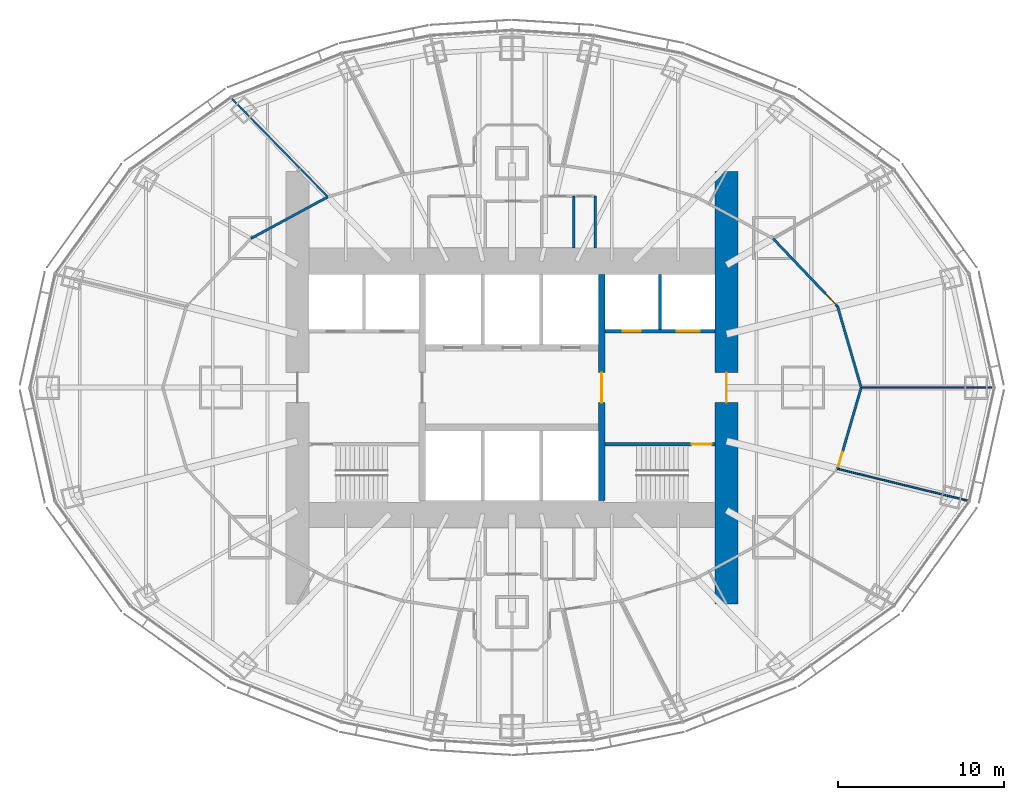
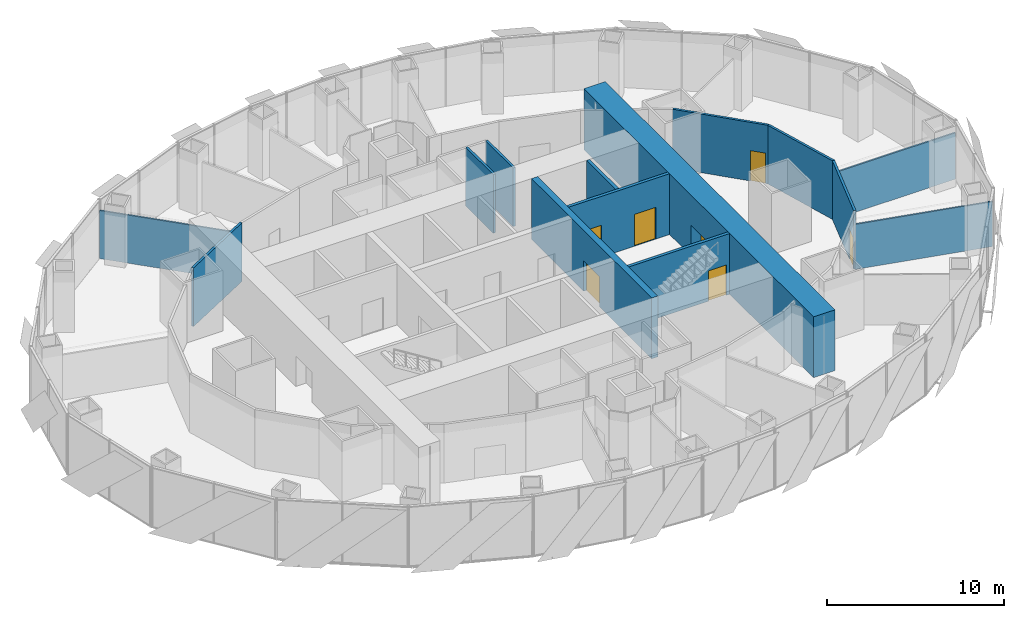
# One storey, part 12 of 18: 14 walls, 7 doors, 7 openings.
"""IFC4 building model written with IfcOpenShell, lengths in metres."""

import ifcopenshell
import ifcopenshell.guid

model = None  # the IFC model being written
_history = None  # IfcOwnerHistory: only IFC2X3 demands one
_inside = {}  # id of a spatial element -> (the spatial element, [elements in it])
_under = {}  # id of a project, library or spatial element -> (it, [spatial elements below it])
_declared = {}  # id of a project -> (the project, [libraries it declares])
_typed = {}  # id of a type object -> (the type object, [elements of that type])
_made_of = {}  # id of a material, layer set ... -> (it, [elements and type objects made of it])


def new_model(schema):
    """Start an empty IFC model of exactly this schema.

    Asked for "IFC4X3", IfcOpenShell would pick the latest addendum, in which some entities
    have other attributes; the version numbers below select the first issue.
    IFC2X3 requires an IfcOwnerHistory on every rooted entity: one is made here for all.
    """
    global model, _history
    if schema == "IFC4X3":
        model = ifcopenshell.file(schema_version=(4, 3, 0, 0))
    else:
        model = ifcopenshell.file(schema=schema)
    _inside.clear()
    _under.clear()
    _declared.clear()
    _typed.clear()
    _made_of.clear()
    _history = None
    if model.schema == "IFC2X3":
        org = make("IfcOrganization", Name="unknown")
        user = make(
            "IfcPersonAndOrganization",
            ThePerson=make("IfcPerson", FamilyName="unknown"),
            TheOrganization=org,
        )
        app = make(
            "IfcApplication",
            ApplicationDeveloper=org,
            Version="unknown",
            ApplicationFullName="unknown",
            ApplicationIdentifier="unknown",
        )
        _history = make(
            "IfcOwnerHistory",
            OwningUser=user,
            OwningApplication=app,
            ChangeAction="ADDED",
            CreationDate=0,
        )
    return model


def make(cls, **values):
    """One entity of the class cls with the attributes given. An attribute that is None is left unset."""
    return model.create_entity(
        cls, **{name: value for name, value in values.items() if value is not None}
    )


def rooted(cls, **values):
    """An entity with a GlobalId (a new one), such as an element, a storey or a relation."""
    return make(cls, GlobalId=ifcopenshell.guid.new(), OwnerHistory=_history, **values)


def si_unit(unit_type, name, prefix=None):
    """IfcSIUnit, for example si_unit("LENGTHUNIT", "METRE", prefix="MILLI")."""
    return make("IfcSIUnit", UnitType=unit_type, Prefix=prefix, Name=name)


def assignment(units):
    """IfcUnitAssignment: the units of a project."""
    return None if units is None else make("IfcUnitAssignment", Units=units)


def point(xyz):
    """IfcCartesianPoint."""
    return None if xyz is None else make("IfcCartesianPoint", Coordinates=xyz)


def direction(xyz):
    """IfcDirection."""
    return None if xyz is None else make("IfcDirection", DirectionRatios=xyz)


def frame(location, z_axis=None, x_axis=None):
    """IfcAxis2Placement3D, a coordinate frame: its origin and axes. An axis left out is left unset."""
    return make(
        "IfcAxis2Placement3D",
        Location=point(location),
        Axis=direction(z_axis),
        RefDirection=direction(x_axis),
    )


def frame_2d(location, x_axis=None):
    """IfcAxis2Placement2D, a coordinate frame in the plane: its origin and x axis."""
    return make(
        "IfcAxis2Placement2D", Location=point(location), RefDirection=direction(x_axis)
    )


def origin():
    """The frame at (0, 0, 0) with its axes left unset."""
    return frame((0.0, 0.0, 0.0))


def place(relative_to, where):
    """IfcLocalPlacement: puts the frame where relative to a parent placement (None: the world)."""
    return make(
        "IfcLocalPlacement", PlacementRelTo=relative_to, RelativePlacement=where
    )


def context(
    kind, dimensions, precision=None, world=None, true_north=None, identifier=None
):
    """IfcGeometricRepresentationContext, for example the 3D "Model" context."""
    return make(
        "IfcGeometricRepresentationContext",
        ContextIdentifier=identifier,
        ContextType=kind,
        CoordinateSpaceDimension=dimensions,
        Precision=precision,
        WorldCoordinateSystem=world,
        TrueNorth=true_north,
    )


def subcontext(parent, identifier, kind, view, scale=None):
    """IfcGeometricRepresentationSubContext, for example "Body" below "Model"."""
    return make(
        "IfcGeometricRepresentationSubContext",
        ContextIdentifier=identifier,
        ContextType=kind,
        ParentContext=parent,
        TargetScale=scale,
        TargetView=view,
    )


def project(units=None, contexts=None):
    """IfcProject with its units and contexts."""
    return rooted(
        "IfcProject",
        Name="project",
        RepresentationContexts=contexts,
        UnitsInContext=assignment(units),
    )


def spatial(cls, under=None, at=None, **own):
    """A site, building, storey or space (cls), placed at a placement, below another one or the project."""
    s = rooted(cls, ObjectPlacement=at, **own)
    if under is not None:
        _under.setdefault(under.id(), (under, []))[1].append(s)
    return s


def profile(cls, at=None, kind="AREA", **sizes):
    """A parametric profile (cls). Its sizes go by their IFC names, for example OverallWidth=200.0."""
    return make(cls, ProfileType=kind, Position=at, **sizes)


def rectangle(**sizes):
    """IfcRectangleProfileDef."""
    return profile("IfcRectangleProfileDef", **sizes)


def extrude(swept, where, along, depth):
    """IfcExtrudedAreaSolid: the profile swept, set in the frame where, extruded along a direction by depth."""
    return make(
        "IfcExtrudedAreaSolid",
        SweptArea=swept,
        Position=where,
        ExtrudedDirection=direction(along),
        Depth=depth,
    )


def shape(context_of_items, identifier, shape_type, items):
    """IfcShapeRepresentation: the items that make up one representation, for example the "Body"."""
    return make(
        "IfcShapeRepresentation",
        ContextOfItems=context_of_items,
        RepresentationIdentifier=identifier,
        RepresentationType=shape_type,
        Items=items,
    )


def material(Name=None, Category=None):
    """IfcMaterial."""
    return make("IfcMaterial", Name=Name, Category=Category)


def layer(
    of_material, thickness, ventilated=None, Name=None, Category=None, Priority=None
):
    """IfcMaterialLayer: one layer of a wall or slab, of a material (None: an air gap)."""
    return make(
        "IfcMaterialLayer",
        Material=of_material,
        LayerThickness=thickness,
        IsVentilated=ventilated,
        Name=Name,
        Category=Category,
        Priority=Priority,
    )


def layer_set(layers, Name=None):
    """IfcMaterialLayerSet."""
    return make("IfcMaterialLayerSet", MaterialLayers=layers, LayerSetName=Name)


def made_of(thing, what):
    """Note that an element or type object is made of a material, layer set ...; save() writes the relation."""
    if what is not None:
        _made_of.setdefault(what.id(), (what, []))[1].append(thing)
    return thing


def type_object(cls, material=None, **own):
    """A type object (cls), such as IfcWallType, which elements share."""
    return made_of(rooted(cls, **own), material)


def element(
    cls,
    number,
    at=None,
    inside=None,
    cuts=None,
    type_object=None,
    material=None,
    context=None,
    identifier="Body",
    shape_type=None,
    held_by="IfcProductDefinitionShape",
    body=None,
    shapes=None,
    **own,
):
    """One element of the class cls, such as IfcWall. Its Tag is "e" and its number.

    at: its placement. inside: the storey or other place that contains it. cuts: it is an
    opening in that element (IfcRelVoidsElement). A single representation is given by context,
    identifier, shape_type and body (its items); several are given by shapes. held_by: the class
    of the entity that holds the representations. save() writes the other relations.
    """
    e = rooted(cls, Tag="e%d" % number, ObjectPlacement=at, **own)
    if body is not None:
        shapes = [shape(context, identifier, shape_type, body)]
    if shapes is not None:
        e.Representation = make(held_by, Representations=shapes)
    if inside is not None:
        _inside.setdefault(inside.id(), (inside, []))[1].append(e)
    if cuts is not None:
        rooted(
            "IfcRelVoidsElement", RelatingBuildingElement=cuts, RelatedOpeningElement=e
        )
    if type_object is not None:
        _typed.setdefault(type_object.id(), (type_object, []))[1].append(e)
    return made_of(e, material)


def fill(opening, filler):
    """IfcRelFillsElement: the door or window that sits in an opening."""
    return rooted(
        "IfcRelFillsElement",
        RelatingOpeningElement=opening,
        RelatedBuildingElement=filler,
    )


def aggregate(whole, parts):
    """IfcRelAggregates: a whole, such as a stair, and the parts it consists of."""
    return rooted("IfcRelAggregates", RelatingObject=whole, RelatedObjects=parts)


def save(model, path):
    """Write the relations noted so far, then the file.

    IfcRelAggregates (storeys below a building ...), IfcRelContainedInSpatialStructure (elements
    in a storey), IfcRelDefinesByType, IfcRelAssociatesMaterial and IfcRelDeclares: one each for
    every whole, place, type object, material and project.
    """
    for whole, parts in _under.values():
        aggregate(whole, parts)
    for where, things in _inside.values():
        rooted(
            "IfcRelContainedInSpatialStructure",
            RelatedElements=things,
            RelatingStructure=where,
        )
    for kind, things in _typed.values():
        rooted("IfcRelDefinesByType", RelatedObjects=things, RelatingType=kind)
    for what, things in _made_of.values():
        rooted("IfcRelAssociatesMaterial", RelatedObjects=things, RelatingMaterial=what)
    for by, libraries in _declared.values():
        rooted("IfcRelDeclares", RelatingContext=by, RelatedDefinitions=libraries)
    model.write(path)


model = new_model("IFC4")

# Units and contexts
model_context = context("Model", 3, precision=1e-05, world=origin(), true_north=direction((0.0, 1.0)))
body_context = subcontext(model_context, "Body", "Model", "MODEL_VIEW")
ifc_project = project(units=[si_unit("LENGTHUNIT", "METRE"), si_unit("AREAUNIT", "SQUARE_METRE"), si_unit("VOLUMEUNIT", "CUBIC_METRE"), si_unit("PLANEANGLEUNIT", "RADIAN"), si_unit("MASSUNIT", "GRAM", prefix="KILO")], contexts=[model_context])

# Site, building, storey
site_placement = place(None, origin())
site = spatial("IfcSite", under=ifc_project, at=site_placement, CompositionType="ELEMENT")
building_placement = place(site_placement, origin())
building = spatial("IfcBuilding", under=site, at=building_placement, Name="Lantaw Convention Tower", CompositionType="ELEMENT")
storey_placement = place(building_placement, frame((0.0, 0.0, 142.60009765625)))
storey = spatial("IfcBuildingStorey", under=building, at=storey_placement, Name="L33", CompositionType="ELEMENT", Elevation=142.60009765625)

# Wall, opening, door
ifc_material_1 = material(Name="Concrete C60/75", Category="concrete")
ifc_layer_1 = layer(ifc_material_1, 1.39990234375)
ifc_layer_set_1 = layer_set([ifc_layer_1], Name="Core wall 1400")
wall_type_1 = type_object("IfcWallType", Name="Core wall 1400", PredefinedType="SHEAR", material=ifc_layer_set_1)
wall_1_placement = place(storey_placement, frame((12.89990234375, -13.0, 0.0), z_axis=(0.0, 0.0, 1.0), x_axis=(0.0, 1.0, 0.0)))
wall_1 = element("IfcWall", 1, at=wall_1_placement, inside=storey, type_object=wall_type_1, Name="Core wall E", PredefinedType="SHEAR", context=body_context, shape_type="SweptSolid", body=[
    extrude(rectangle(XDim=26.0, YDim=1.39990234375, at=frame_2d((13.0, 0.0))), origin(), (0.0, 0.0, 1.0), 4.199951171875),
])
opening_1_placement = place(wall_1_placement, frame((12.10009765625, 0.0, 0.0)))
opening_1 = element("IfcOpeningElement", 2, at=opening_1_placement, cuts=wall_1, Name="Opening L33.05", PredefinedType="OPENING", context=body_context, shape_type="SweptSolid", body=[
    extrude(rectangle(XDim=1.800048828125, YDim=2.10009765625, at=frame_2d((0.89990234375, 1.050048828125))), frame((0.0, 0.7099609375, 0.0), z_axis=(0.0, -1.0, 0.0), x_axis=(1.0, 0.0, 0.0)), (0.0, 0.0, 1.0), 1.419921875),
])
ifc_material_2 = material(Name="Steel, fire rated", Category="steel")
door_type_1 = type_object("IfcDoorType", Name="Lobby double door FD90", OperationType="DOUBLE_DOOR_DOUBLE_SWING", PredefinedType="DOOR", material=ifc_material_2)
door_1_placement = place(opening_1_placement, origin())
door_1 = element("IfcDoor", 3, at=door_1_placement, inside=storey, type_object=door_type_1, Name="Firefighting lobby door", OperationType="DOUBLE_DOOR_DOUBLE_SWING", OverallHeight=2.10009765625, OverallWidth=1.800048828125, PredefinedType="DOOR", context=body_context, shape_type="SweptSolid", body=[
    extrude(rectangle(XDim=1.800048828125, YDim=2.10009765625, at=frame_2d((0.89990234375, 1.050048828125))), frame((0.0, 0.02490234375, 0.0), z_axis=(0.0, -1.0, 0.0), x_axis=(1.0, 0.0, 0.0)), (0.0, 0.0, 1.0), 0.050048828125),
])
fill(opening_1, door_1)

ifc_layer_2 = layer(ifc_material_1, 0.199951171875)
ifc_layer_set_2 = layer_set([ifc_layer_2], Name="Core wall 200")
wall_type_2 = type_object("IfcWallType", Name="Core wall 200", PredefinedType="SHEAR", material=ifc_layer_set_2)
wall_2_placement = place(storey_placement, frame((5.60009765625, -3.39990234375, 0.0), z_axis=(0.0, 0.0, 1.0), x_axis=(1.0, 0.0, 0.0)))
wall_2 = element("IfcWall", 4, at=wall_2_placement, inside=storey, type_object=wall_type_2, Name="Core wall ES", PredefinedType="SHEAR", context=body_context, shape_type="SweptSolid", body=[
    extrude(rectangle(XDim=6.599853515625, YDim=0.199951171875, at=frame_2d((3.2998046875, 0.0))), origin(), (0.0, 0.0, 1.0), 4.199951171875),
])
opening_2_placement = place(wall_2_placement, frame((5.199951171875, 0.0, 0.0)))
opening_2 = element("IfcOpeningElement", 5, at=opening_2_placement, cuts=wall_2, Name="Opening L33.03", PredefinedType="OPENING", context=body_context, shape_type="SweptSolid", body=[
    extrude(rectangle(XDim=1.199951171875, YDim=2.10009765625, at=frame_2d((0.60009765625, 1.050048828125))), frame((0.0, 0.10986328125, 0.0), z_axis=(0.0, -1.0, 0.0), x_axis=(1.0, 0.0, 0.0)), (0.0, 0.0, 1.0), 0.219970703125),
])
door_type_2 = type_object("IfcDoorType", Name="Stair door FD90", OperationType="SINGLE_SWING_RIGHT", PredefinedType="DOOR", material=ifc_material_2)
door_2_placement = place(opening_2_placement, origin())
door_2 = element("IfcDoor", 6, at=door_2_placement, inside=storey, type_object=door_type_2, Name="Exit stair door", OperationType="SINGLE_SWING_RIGHT", OverallHeight=2.10009765625, OverallWidth=1.199951171875, PredefinedType="DOOR", context=body_context, shape_type="SweptSolid", body=[
    extrude(rectangle(XDim=1.199951171875, YDim=2.10009765625, at=frame_2d((0.60009765625, 1.050048828125))), frame((0.0, 0.02490234375, 0.0), z_axis=(0.0, -1.0, 0.0), x_axis=(1.0, 0.0, 0.0)), (0.0, 0.0, 1.0), 0.050048828125),
])
fill(opening_2, door_2)

ifc_layer_3 = layer(ifc_material_1, 0.39990234375)
ifc_layer_set_3 = layer_set([ifc_layer_3], Name="Core wall 400")
wall_type_3 = type_object("IfcWallType", Name="Core wall 400", PredefinedType="SHEAR", material=ifc_layer_set_3)
wall_3_placement = place(storey_placement, frame((5.39990234375, -6.800048828125, 0.0), z_axis=(0.0, 0.0, 1.0), x_axis=(0.0, 1.0, 0.0)))
wall_3 = element("IfcWall", 7, at=wall_3_placement, inside=storey, type_object=wall_type_3, Name="Core wall XE", PredefinedType="SHEAR", context=body_context, shape_type="SweptSolid", body=[
    extrude(rectangle(XDim=13.60009765625, YDim=0.39990234375, at=frame_2d((6.800048828125, 0.0))), origin(), (0.0, 0.0, 1.0), 4.199951171875),
])
opening_3_placement = place(wall_3_placement, frame((5.89990234375, 0.0, 0.0)))
opening_3 = element("IfcOpeningElement", 8, at=opening_3_placement, cuts=wall_3, Name="Opening L33.01", PredefinedType="OPENING", context=body_context, shape_type="SweptSolid", body=[
    extrude(rectangle(XDim=1.800048828125, YDim=2.10009765625, at=frame_2d((0.89990234375, 1.050048828125))), frame((0.0, 0.2099609375, 0.0), z_axis=(0.0, -1.0, 0.0), x_axis=(1.0, 0.0, 0.0)), (0.0, 0.0, 1.0), 0.419921875),
])
door_3_placement = place(opening_3_placement, origin())
door_3 = element("IfcDoor", 9, at=door_3_placement, inside=storey, type_object=door_type_1, Name="Lift lobby door", OperationType="DOUBLE_DOOR_DOUBLE_SWING", OverallHeight=2.10009765625, OverallWidth=1.800048828125, PredefinedType="DOOR", context=body_context, shape_type="SweptSolid", body=[
    extrude(rectangle(XDim=1.800048828125, YDim=2.10009765625, at=frame_2d((0.89990234375, 1.050048828125))), frame((0.0, 0.02490234375, 0.0), z_axis=(0.0, -1.0, 0.0), x_axis=(1.0, 0.0, 0.0)), (0.0, 0.0, 1.0), 0.050048828125),
])
fill(opening_3, door_3)

# Wall
ifc_material_3 = material(Name="Gypsum board on steel studs, fire rated", Category="steel")
ifc_layer_4 = layer(ifc_material_3, 0.14990234375)
ifc_layer_set_4 = layer_set([ifc_layer_4], Name="Corridor wall 150 EI 60")
wall_type_4 = type_object("IfcWallType", Name="Corridor wall 150 EI 60", PredefinedType="PARTITIONING", material=ifc_layer_set_4)
wall_4_placement = place(storey_placement, frame((21.0, 0.0, 0.0), z_axis=(0.0, 0.0, 1.0), x_axis=(-0.279474430869, 0.960153134917, 0.0)))
element("IfcWall", 10, at=wall_4_placement, inside=storey, type_object=wall_type_4, Name="Corridor wall 150", PredefinedType="PARTITIONING", context=body_context, shape_type="SweptSolid", body=[
    extrude(rectangle(XDim=5.084228515625, YDim=0.14990234375, at=frame_2d((2.5419921875, 0.0))), origin(), (0.0, 0.0, 1.0), 4.0498046875),
])

# Wall, opening, door
wall_5_placement = place(storey_placement, frame((19.5791015625, 4.881591796875, 0.0), z_axis=(0.0, 0.0, 1.0), x_axis=(-0.688797257101, 0.72495402517, 0.0)))
wall_5 = element("IfcWall", 11, at=wall_5_placement, inside=storey, type_object=wall_type_4, Name="Corridor wall 150", PredefinedType="PARTITIONING", context=body_context, shape_type="SweptSolid", body=[
    extrude(rectangle(XDim=5.63818359375, YDim=0.14990234375, at=frame_2d((2.819091796875, 0.0))), origin(), (0.0, 0.0, 1.0), 4.0498046875),
])
opening_4_placement = place(wall_5_placement, frame((0.14990234375, 0.0, 0.0)))
opening_4 = element("IfcOpeningElement", 12, at=opening_4_placement, cuts=wall_5, Name="Opening L33.22", PredefinedType="OPENING", context=body_context, shape_type="SweptSolid", body=[
    extrude(rectangle(XDim=0.89990234375, YDim=2.10009765625, at=frame_2d((0.449951171875, 1.050048828125))), frame((0.0, 0.0849609375, 0.0), z_axis=(0.0, -1.0, 0.0), x_axis=(1.0, 0.0, 0.0)), (0.0, 0.0, 1.0), 0.169921875),
])
door_type_3 = type_object("IfcDoorType", Name="Office door 900 FD30", OperationType="SINGLE_SWING_LEFT", PredefinedType="DOOR", material=ifc_material_2)
door_4_placement = place(opening_4_placement, origin())
door_4 = element("IfcDoor", 13, at=door_4_placement, inside=storey, type_object=door_type_3, Name="Reception door", OperationType="SINGLE_SWING_LEFT", OverallHeight=2.10009765625, OverallWidth=0.89990234375, PredefinedType="DOOR", context=body_context, shape_type="SweptSolid", body=[
    extrude(rectangle(XDim=0.89990234375, YDim=2.10009765625, at=frame_2d((0.449951171875, 1.050048828125))), frame((0.0, 0.02490234375, 0.0), z_axis=(0.0, -1.0, 0.0), x_axis=(1.0, 0.0, 0.0)), (0.0, 0.0, 1.0), 0.050048828125),
])
fill(opening_4, door_4)

# Wall
wall_6_placement = place(storey_placement, frame((-11.075927734375, 11.469482421875, 0.0), z_axis=(0.0, 0.0, 1.0), x_axis=(-0.879436285334, -0.476016617397, 0.0)))
element("IfcWall", 14, at=wall_6_placement, inside=storey, type_object=wall_type_4, Name="Corridor wall 150", PredefinedType="PARTITIONING", context=body_context, shape_type="SweptSolid", body=[
    extrude(rectangle(XDim=5.2529296875, YDim=0.14990234375, at=frame_2d((2.62646484375, 0.0))), origin(), (0.0, 0.0, 1.0), 4.0498046875),
])

# Wall, opening, door
wall_7_placement = place(storey_placement, frame((19.5791015625, -4.881591796875, 0.0), z_axis=(0.0, 0.0, 1.0), x_axis=(0.279474430869, 0.960153134917, 0.0)))
wall_7 = element("IfcWall", 15, at=wall_7_placement, inside=storey, type_object=wall_type_4, Name="Corridor wall 150", PredefinedType="PARTITIONING", context=body_context, shape_type="SweptSolid", body=[
    extrude(rectangle(XDim=5.084228515625, YDim=0.14990234375, at=frame_2d((2.5419921875, 0.0))), origin(), (0.0, 0.0, 1.0), 4.0498046875),
])
opening_5_placement = place(wall_7_placement, frame((0.14990234375, 0.0, 0.0)))
opening_5 = element("IfcOpeningElement", 16, at=opening_5_placement, cuts=wall_7, Name="Opening L33.35", PredefinedType="OPENING", context=body_context, shape_type="SweptSolid", body=[
    extrude(rectangle(XDim=0.89990234375, YDim=2.10009765625, at=frame_2d((0.449951171875, 1.050048828125))), frame((0.0, 0.0849609375, 0.0), z_axis=(0.0, -1.0, 0.0), x_axis=(1.0, 0.0, 0.0)), (0.0, 0.0, 1.0), 0.169921875),
])
door_5_placement = place(opening_5_placement, origin())
door_5 = element("IfcDoor", 17, at=door_5_placement, inside=storey, type_object=door_type_3, Name="Quiet room door", OperationType="SINGLE_SWING_LEFT", OverallHeight=2.10009765625, OverallWidth=0.89990234375, PredefinedType="DOOR", context=body_context, shape_type="SweptSolid", body=[
    extrude(rectangle(XDim=0.89990234375, YDim=2.10009765625, at=frame_2d((0.449951171875, 1.050048828125))), frame((0.0, 0.02490234375, 0.0), z_axis=(0.0, -1.0, 0.0), x_axis=(1.0, 0.0, 0.0)), (0.0, 0.0, 1.0), 0.050048828125),
])
fill(opening_5, door_5)

# Walls
ifc_material_4 = material(Name="Gypsum board on steel studs, acoustic", Category="steel")
ifc_layer_5 = layer(ifc_material_4, 0.10009765625)
ifc_layer_set_5 = layer_set([ifc_layer_5], Name="Office partition 100")
wall_type_5 = type_object("IfcWallType", Name="Office partition 100", PredefinedType="PARTITIONING", material=ifc_layer_set_5)
wall_8_placement = place(storey_placement, frame((28.944091796875, 0.0, 0.0), z_axis=(0.0, 0.0, 1.0), x_axis=(-1.0, 0.0, 0.0)))
element("IfcWall", 18, at=wall_8_placement, inside=storey, type_object=wall_type_5, Name="Office partition 100", PredefinedType="PARTITIONING", context=body_context, shape_type="SweptSolid", body=[
    extrude(rectangle(XDim=7.944091796875, YDim=0.10009765625, at=frame_2d((3.97216796875, 0.0))), origin(), (0.0, 0.0, 1.0), 3.2041015625),
])
wall_9_placement = place(storey_placement, frame((-16.88232421875, 17.413818359375, 0.0), z_axis=(0.0, 0.0, 1.0), x_axis=(0.698758056249, -0.715358077348, 0.0)))
element("IfcWall", 19, at=wall_9_placement, inside=storey, type_object=wall_type_5, Name="Office partition 100", PredefinedType="PARTITIONING", context=body_context, shape_type="SweptSolid", body=[
    extrude(rectangle(XDim=8.3095703125, YDim=0.10009765625, at=frame_2d((4.15478515625, 0.0))), origin(), (0.0, 0.0, 1.0), 3.32080078125),
])
wall_10_placement = place(storey_placement, frame((27.440673828125, -6.808837890625, 0.0), z_axis=(0.0, 0.0, 1.0), x_axis=(-0.971241251223, 0.238097526075, 0.0)))
element("IfcWall", 20, at=wall_10_placement, inside=storey, type_object=wall_type_5, Name="Office partition 100", PredefinedType="PARTITIONING", context=body_context, shape_type="SweptSolid", body=[
    extrude(rectangle(XDim=8.09423828125, YDim=0.10009765625, at=frame_2d((4.047119140625, 0.0))), origin(), (0.0, 0.0, 1.0), 3.112548828125),
])

# Wall, openings, doors
ifc_material_5 = material(Name="Concrete blockwork, fire rated", Category="masonry")
ifc_layer_6 = layer(ifc_material_5, 0.199951171875)
ifc_layer_set_6 = layer_set([ifc_layer_6], Name="Shaft wall 200")
wall_type_6 = type_object("IfcWallType", Name="Shaft wall 200", PredefinedType="SOLIDWALL", material=ifc_layer_set_6)
wall_11_placement = place(storey_placement, frame((12.199951171875, 3.39990234375, 0.0), z_axis=(0.0, 0.0, 1.0), x_axis=(-1.0, 0.0, 0.0)))
wall_11 = element("IfcWall", 21, at=wall_11_placement, inside=storey, type_object=wall_type_6, Name="Shaft wall EN", PredefinedType="SOLIDWALL", context=body_context, shape_type="SweptSolid", body=[
    extrude(rectangle(XDim=6.599853515625, YDim=0.199951171875, at=frame_2d((3.2998046875, 0.0))), origin(), (0.0, 0.0, 1.0), 4.199951171875),
])
opening_6_placement = place(wall_11_placement, frame((4.449951171875, 0.0, 0.0)))
opening_6 = element("IfcOpeningElement", 22, at=opening_6_placement, cuts=wall_11, Name="Opening L33.12", PredefinedType="OPENING", context=body_context, shape_type="SweptSolid", body=[
    extrude(rectangle(XDim=1.10009765625, YDim=2.199951171875, at=frame_2d((0.550048828125, 1.10009765625))), frame((0.0, 0.10986328125, 0.0), z_axis=(0.0, -1.0, 0.0), x_axis=(1.0, 0.0, 0.0)), (0.0, 0.0, 1.0), 0.219970703125),
])
opening_7_placement = place(wall_11_placement, frame((0.89990234375, 0.0, 0.0)))
opening_7 = element("IfcOpeningElement", 23, at=opening_7_placement, cuts=wall_11, Name="Opening L33.13", PredefinedType="OPENING", context=body_context, shape_type="SweptSolid", body=[
    extrude(rectangle(XDim=1.39990234375, YDim=2.199951171875, at=frame_2d((0.699951171875, 1.10009765625))), frame((0.0, 0.10986328125, 0.0), z_axis=(0.0, -1.0, 0.0), x_axis=(1.0, 0.0, 0.0)), (0.0, 0.0, 1.0), 0.219970703125),
])
ifc_material_6 = material(Name="Stainless steel", Category="steel")
door_type_4 = type_object("IfcDoorType", Name="Lift landing door 1100", OperationType="DOUBLE_DOOR_SLIDING", PredefinedType="DOOR", material=ifc_material_6)
door_6_placement = place(opening_6_placement, origin())
door_6 = element("IfcDoor", 24, at=door_6_placement, inside=storey, type_object=door_type_4, Name="Lift landing door FF2", OperationType="DOUBLE_DOOR_SLIDING", OverallHeight=2.199951171875, OverallWidth=1.10009765625, PredefinedType="DOOR", context=body_context, shape_type="SweptSolid", body=[
    extrude(rectangle(XDim=1.10009765625, YDim=2.199951171875, at=frame_2d((0.550048828125, 1.10009765625))), frame((0.0, 0.02490234375, 0.0), z_axis=(0.0, -1.0, 0.0), x_axis=(1.0, 0.0, 0.0)), (0.0, 0.0, 1.0), 0.050048828125),
])
fill(opening_6, door_6)
door_type_5 = type_object("IfcDoorType", Name="Lift landing door 1400", OperationType="DOUBLE_DOOR_SLIDING", PredefinedType="DOOR", material=ifc_material_6)
door_7_placement = place(opening_7_placement, origin())
door_7 = element("IfcDoor", 25, at=door_7_placement, inside=storey, type_object=door_type_5, Name="Lift landing door SV2", OperationType="DOUBLE_DOOR_SLIDING", OverallHeight=2.199951171875, OverallWidth=1.39990234375, PredefinedType="DOOR", context=body_context, shape_type="SweptSolid", body=[
    extrude(rectangle(XDim=1.39990234375, YDim=2.199951171875, at=frame_2d((0.699951171875, 1.10009765625))), frame((0.0, 0.02490234375, 0.0), z_axis=(0.0, -1.0, 0.0), x_axis=(1.0, 0.0, 0.0)), (0.0, 0.0, 1.0), 0.050048828125),
])
fill(opening_7, door_7)

# Walls
wall_12_placement = place(storey_placement, frame((8.89990234375, 3.5, 0.0), z_axis=(0.0, 0.0, 1.0), x_axis=(0.0, 1.0, 0.0)))
element("IfcWall", 26, at=wall_12_placement, inside=storey, type_object=wall_type_6, Name="Shaft wall ED", PredefinedType="SOLIDWALL", context=body_context, shape_type="SweptSolid", body=[
    extrude(rectangle(XDim=3.300048828125, YDim=0.199951171875, at=frame_2d((1.64990234375, 0.0))), origin(), (0.0, 0.0, 1.0), 4.199951171875),
])
ifc_material_7 = material(Name="Concrete blockwork", Category="masonry")
ifc_layer_7 = layer(ifc_material_7, 0.14990234375)
ifc_layer_set_7 = layer_set([ifc_layer_7], Name="WC wall 150")
wall_type_7 = type_object("IfcWallType", Name="WC wall 150", PredefinedType="SOLIDWALL", material=ifc_layer_set_7)
for number, where, z_axis, x_axis, name in (
    (27, (5.0, 8.39990234375, 0.0), (0.0, 0.0, 1.0), (0.0, 1.0, 0.0), "WC wall 150"),
    (28, (3.699951171875, 8.39990234375, 0.0), (0.0, 0.0, 1.0), (0.0, 1.0, 0.0), "WC wall 150"),
):
    element("IfcWall", number, at=place(storey_placement, frame(where, z_axis=z_axis, x_axis=x_axis)), inside=storey, type_object=wall_type_7, Name=name, PredefinedType="SOLIDWALL", context=body_context, shape_type="SweptSolid", body=[
        extrude(rectangle(XDim=3.112060546875, YDim=0.14990234375, at=frame_2d((1.55615234375, 0.0))), origin(), (0.0, 0.0, 1.0), 4.0498046875),
    ])

save(model, "model.ifc")
